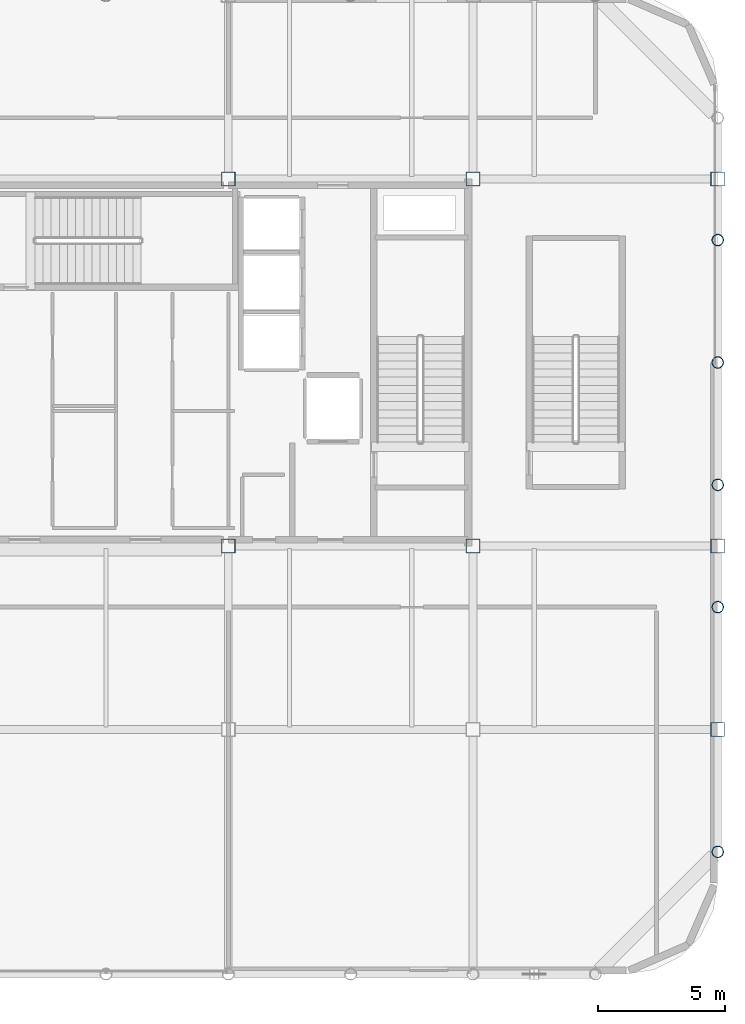
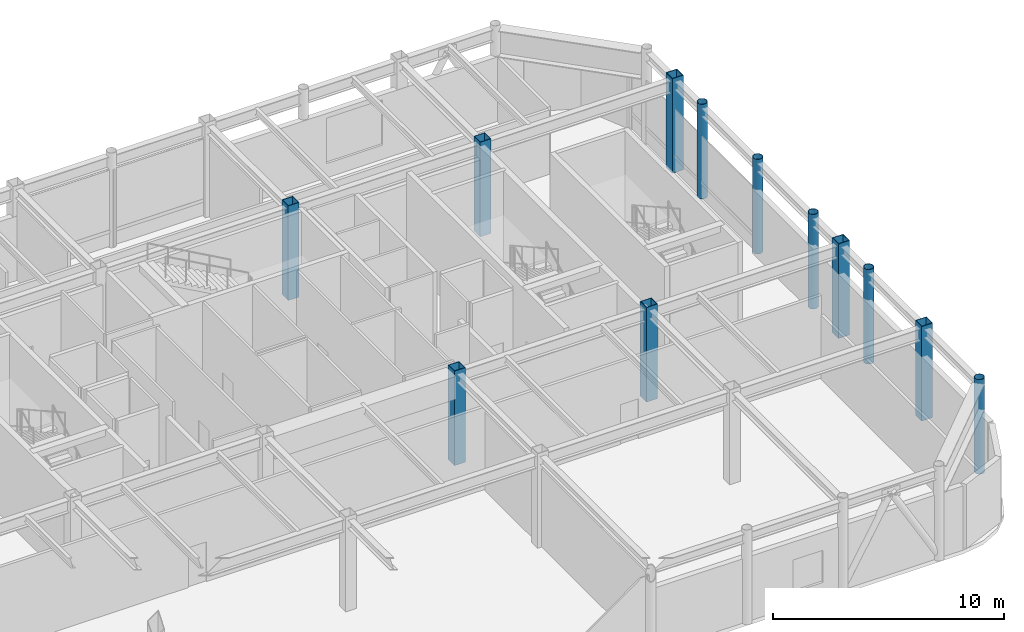
# One storey, part 2 of 21: 12 columns.
"""IFC4 building model written with IfcOpenShell, lengths in metres."""

from ifc_helpers import new_model, si_unit, direction, frame, origin, origin_2d, place, context, subcontext, project, spatial, hollow_rectangle, hollow_circle, extrude, material, material_profile, profile_set, type_object, element, save


model = new_model("IFC4")

# Units and contexts
model_context = context("Model", 3, precision=1e-05, world=origin(), true_north=direction((0.0, 1.0)))
body_context = subcontext(model_context, "Body", "Model", "MODEL_VIEW")
ifc_project = project(units=[si_unit("LENGTHUNIT", "METRE"), si_unit("AREAUNIT", "SQUARE_METRE"), si_unit("VOLUMEUNIT", "CUBIC_METRE"), si_unit("PLANEANGLEUNIT", "RADIAN"), si_unit("MASSUNIT", "GRAM", prefix="KILO")], contexts=[model_context])

# Site, building, storey
site_placement = place(None, origin())
site = spatial("IfcSite", under=ifc_project, at=site_placement, CompositionType="ELEMENT")
building_placement = place(site_placement, origin())
building = spatial("IfcBuilding", under=site, at=building_placement, Name="Kallvorn Hotel Tower", CompositionType="ELEMENT")
storey_placement = place(building_placement, frame((0.0, 0.0, 295.60009765625)))
storey = spatial("IfcBuildingStorey", under=building, at=storey_placement, Name="L73", CompositionType="ELEMENT", Elevation=295.60009765625)

# Columns
ifc_material_1 = material(Name="Structural steel S355J2H", Category="steel")
ifc_material_profile_1 = material_profile(ifc_material_1, hollow_circle(Radius=0.228515625, WallThickness=0.02001953125, at=origin_2d()), Name="CHS 457x20")
ifc_profile_set_1 = profile_set([ifc_material_profile_1], Name="Structural steel S355J2H")
column_type_1 = type_object("IfcColumnType", Name="COL_CHS_457", PredefinedType="COLUMN", material=ifc_profile_set_1)
for number, where, z_axis, x_axis, name in (
    (1, (24.0, -19.199951171875, 0.0), (0.0, 0.0, 1.0), (1.0, 0.0, 0.0), "L73 Exoskeleton Column EC23"),
    (2, (24.0, -9.60009765625, 0.0), (0.0, 0.0, 1.0), (1.0, 0.0, 0.0), "L73 Exoskeleton Column EC24"),
    (3, (24.0, -4.800048828125, 0.0), (0.0, 0.0, 1.0), (1.0, 0.0, 0.0), "L73 Exoskeleton Column EC25"),
    (4, (24.0, 0.0, 0.0), (0.0, 0.0, 1.0), (1.0, 0.0, 0.0), "L73 Exoskeleton Column EC26"),
    (5, (24.0, 4.800048828125, 0.0), (0.0, 0.0, 1.0), (1.0, 0.0, 0.0), "L73 Exoskeleton Column EC27"),
):
    element("IfcColumn", number, at=place(storey_placement, frame(where, z_axis=z_axis, x_axis=x_axis)), inside=storey, type_object=column_type_1, Name=name, PredefinedType="COLUMN", context=body_context, shape_type="SweptSolid", body=[
        extrude(hollow_circle(Radius=0.228515625, WallThickness=0.02001953125, at=origin_2d()), origin(), (0.0, 0.0, 1.0), 5.0),
    ])
ifc_material_2 = material(Name="Structural steel S355J2H", Category="steel")
ifc_material_profile_2 = material_profile(ifc_material_2, hollow_rectangle(XDim=0.550048828125, YDim=0.550048828125, WallThickness=0.02490234375, at=origin_2d()), Name="RHS 550x550x25")
ifc_profile_set_2 = profile_set([ifc_material_profile_2], Name="Structural steel S355J2H")
column_type_2 = type_object("IfcColumnType", Name="COL_RHS_550", PredefinedType="COLUMN", material=ifc_profile_set_2)
for number, where, z_axis, x_axis, name in (
    (6, (4.800048828125, -7.199951171875, 0.0), (0.0, 0.0, 1.0), (1.0, 0.0, 0.0), "L73 Inner Column IC14"),
    (7, (4.800048828125, 7.199951171875, 0.0), (0.0, 0.0, 1.0), (1.0, 0.0, 0.0), "L73 Inner Column IC15"),
    (8, (14.39990234375, -7.199951171875, 0.0), (0.0, 0.0, 1.0), (1.0, 0.0, 0.0), "L73 Inner Column IC18"),
    (9, (14.39990234375, 7.199951171875, 0.0), (0.0, 0.0, 1.0), (1.0, 0.0, 0.0), "L73 Inner Column IC19"),
    (10, (24.0, -14.39990234375, 0.0), (0.0, 0.0, 1.0), (1.0, 0.0, 0.0), "L73 Inner Column IC21"),
    (11, (24.0, -7.199951171875, 0.0), (0.0, 0.0, 1.0), (1.0, 0.0, 0.0), "L73 Inner Column IC22"),
    (12, (24.0, 7.199951171875, 0.0), (0.0, 0.0, 1.0), (1.0, 0.0, 0.0), "L73 Inner Column IC23"),
):
    element("IfcColumn", number, at=place(storey_placement, frame(where, z_axis=z_axis, x_axis=x_axis)), inside=storey, type_object=column_type_2, Name=name, PredefinedType="COLUMN", context=body_context, shape_type="SweptSolid", body=[
        extrude(hollow_rectangle(XDim=0.550048828125, YDim=0.550048828125, WallThickness=0.02490234375, at=origin_2d()), origin(), (0.0, 0.0, 1.0), 5.0),
    ])

save(model, "model.ifc")
